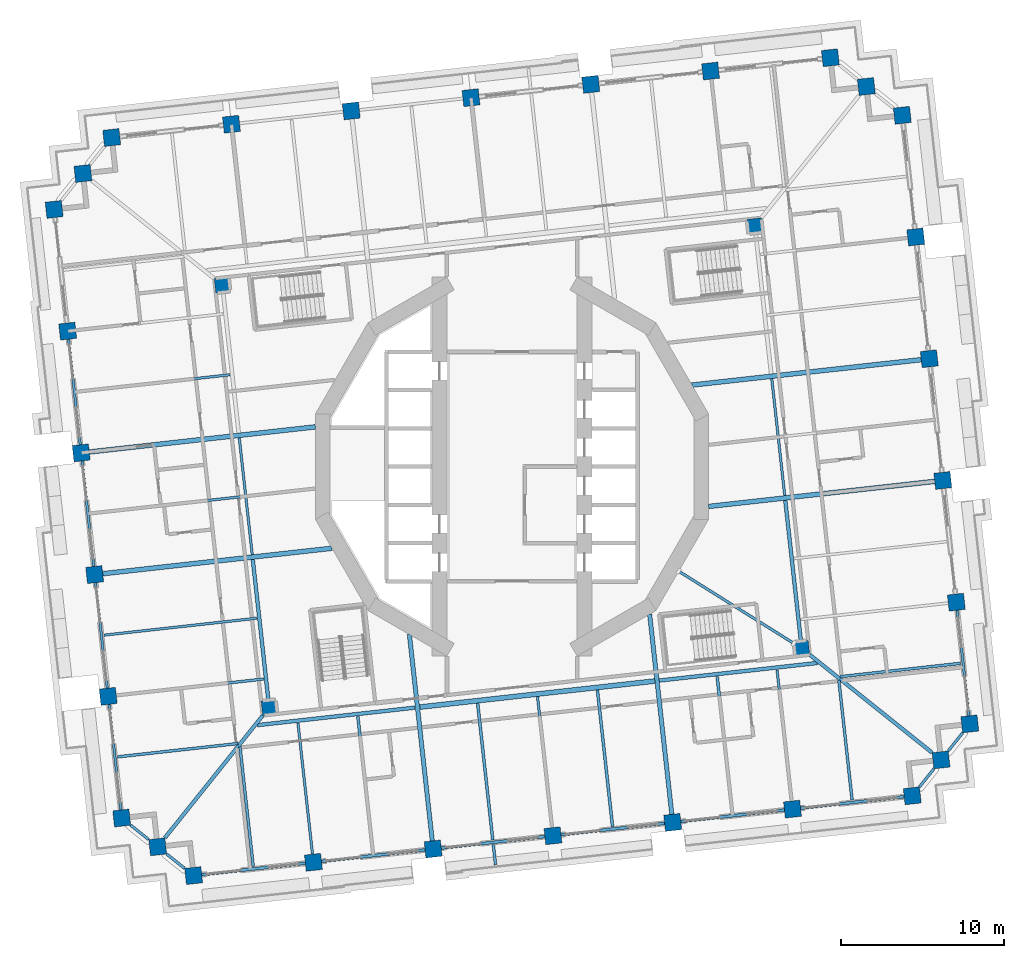
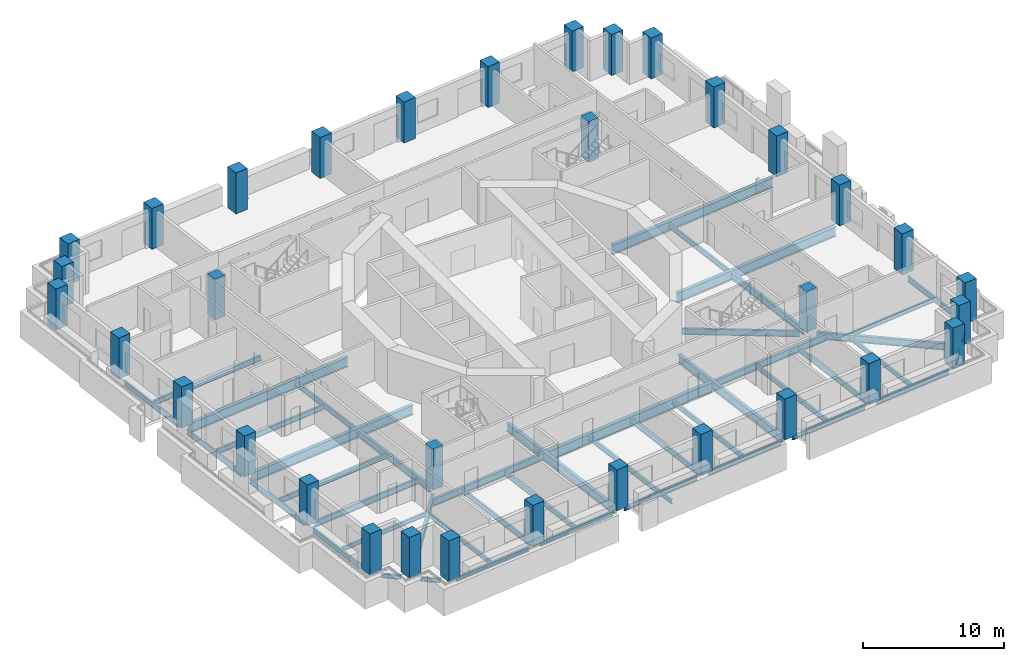
# One storey, part 1 of 19: 47 beams, 34 columns.
"""IFC4 building model written with IfcOpenShell, lengths in metres."""

from ifc_helpers import new_model, si_unit, direction, frame, origin, origin_2d, place, context, subcontext, project, spatial, rectangle, i_section, extrude, material, material_profile, profile_set, type_object, element, save


model = new_model("IFC4")

# Units and contexts
model_context = context("Model", 3, precision=1e-05, world=origin(), true_north=direction((0.0, 1.0)))
body_context = subcontext(model_context, "Body", "Model", "MODEL_VIEW")
ifc_project = project(units=[si_unit("LENGTHUNIT", "METRE"), si_unit("AREAUNIT", "SQUARE_METRE"), si_unit("VOLUMEUNIT", "CUBIC_METRE"), si_unit("PLANEANGLEUNIT", "RADIAN"), si_unit("MASSUNIT", "GRAM", prefix="KILO")], contexts=[model_context])

# Site, building, storey
site_placement = place(None, origin())
site = spatial("IfcSite", under=ifc_project, at=site_placement, CompositionType="ELEMENT")
building_placement = place(site_placement, origin())
building = spatial("IfcBuilding", under=site, at=building_placement, Name="Cantera Rosa Tower", CompositionType="ELEMENT")
storey_placement = place(building_placement, frame((0.0, 0.0, 53.89990234375)))
storey = spatial("IfcBuildingStorey", under=building, at=storey_placement, Name="L10", CompositionType="ELEMENT", Elevation=53.89990234375)

# Columns
ifc_material_1 = material(Name="Concrete C70/85", Category="concrete")
ifc_material_profile_1 = material_profile(ifc_material_1, rectangle(XDim=1.0, YDim=1.0, at=origin_2d()), Name="RC COLUMN RC1000X1000 C70/85")
ifc_profile_set_1 = profile_set([ifc_material_profile_1], Name="Concrete C70/85")
column_type_1 = type_object("IfcColumnType", Name="RC COLUMN RC1000X1000 C70/85", PredefinedType="COLUMN", material=ifc_profile_set_1)
for number, where, z_axis, x_axis, name in (
    (1, (28.114013671875, -15.795166015625, 0.0), (0.0, 0.0, 1.0), (0.993896946415, 0.110312555526, 0.0), "C-Z1-01 L10"),
    (2, (27.284423828125, -8.321044921875, 0.0), (0.0, 0.0, 1.0), (0.993896946415, 0.110312555526, 0.0), "C-Z1-02 L10"),
    (3, (26.454833984375, -0.846923828125, 0.0), (0.0, 0.0, 1.0), (0.993896946415, 0.110312555526, 0.0), "C-Z1-03 L10"),
    (4, (25.625244140625, 6.627197265625, 0.0), (0.0, 0.0, 1.0), (0.993896946415, 0.110312555526, 0.0), "C-Z1-04 L10"),
    (5, (24.795654296875, 14.101318359375, 0.0), (0.0, 0.0, 1.0), (0.993896946415, 0.110312555526, 0.0), "C-Z1-05 L10"),
    (6, (23.96630859375, 21.575439453125, 0.0), (0.0, 0.0, 1.0), (0.993896946415, 0.110312555526, 0.0), "C-Z1-06 L10"),
    (7, (21.7578125, 23.342529296875, 0.0), (0.0, 0.0, 1.0), (0.993896946415, 0.110312555526, 0.0), "C-Z1-07 L10"),
    (8, (19.54931640625, 25.10986328125, 0.0), (0.0, 0.0, 1.0), (0.993896946415, 0.110312555526, 0.0), "C-Z1-08 L10"),
    (9, (12.194580078125, 24.29345703125, 0.0), (0.0, 0.0, 1.0), (0.993896946415, 0.110312555526, 0.0), "C-Z1-09 L10"),
    (10, (4.839599609375, 23.47705078125, 0.0), (0.0, 0.0, 1.0), (0.993896946415, 0.110312555526, 0.0), "C-Z1-10 L10"),
    (11, (-2.51513671875, 22.660888671875, 0.0), (0.0, 0.0, 1.0), (0.993896946415, 0.110312555526, 0.0), "C-Z1-11 L10"),
    (12, (-9.869873046875, 21.844482421875, 0.0), (0.0, 0.0, 1.0), (0.993896946415, 0.110312555526, 0.0), "C-Z1-12 L10"),
    (13, (-17.224853515625, 21.0283203125, 0.0), (0.0, 0.0, 1.0), (0.993896946415, 0.110312555526, 0.0), "C-Z1-13 L10"),
    (14, (-24.57958984375, 20.2119140625, 0.0), (0.0, 0.0, 1.0), (0.993896946415, 0.110312555526, 0.0), "C-Z1-14 L10"),
    (15, (-26.346923828125, 18.00341796875, 0.0), (0.0, 0.0, 1.0), (0.993896946415, 0.110312555526, 0.0), "C-Z1-15 L10"),
    (16, (-28.114013671875, 15.795166015625, 0.0), (0.0, 0.0, 1.0), (0.993896946415, 0.110312555526, 0.0), "C-Z1-16 L10"),
    (17, (-27.284423828125, 8.321044921875, 0.0), (0.0, 0.0, 1.0), (0.993896946415, 0.110312555526, 0.0), "C-Z1-17 L10"),
    (18, (-26.454833984375, 0.846923828125, 0.0), (0.0, 0.0, 1.0), (0.993896946415, 0.110312555526, 0.0), "C-Z1-18 L10"),
    (19, (-25.625244140625, -6.627197265625, 0.0), (0.0, 0.0, 1.0), (0.993896946415, 0.110312555526, 0.0), "C-Z1-19 L10"),
    (20, (-24.795654296875, -14.101318359375, 0.0), (0.0, 0.0, 1.0), (0.993896946415, 0.110312555526, 0.0), "C-Z1-20 L10"),
    (21, (-23.96630859375, -21.575439453125, 0.0), (0.0, 0.0, 1.0), (0.993896946415, 0.110312555526, 0.0), "C-Z1-21 L10"),
    (22, (-21.7578125, -23.342529296875, 0.0), (0.0, 0.0, 1.0), (0.993896946415, 0.110312555526, 0.0), "C-Z1-22 L10"),
    (23, (-19.54931640625, -25.10986328125, 0.0), (0.0, 0.0, 1.0), (0.993896946415, 0.110312555526, 0.0), "C-Z1-23 L10"),
    (24, (-12.194580078125, -24.29345703125, 0.0), (0.0, 0.0, 1.0), (0.993896946415, 0.110312555526, 0.0), "C-Z1-24 L10"),
    (25, (-4.839599609375, -23.47705078125, 0.0), (0.0, 0.0, 1.0), (0.993896946415, 0.110312555526, 0.0), "C-Z1-25 L10"),
    (26, (2.51513671875, -22.660888671875, 0.0), (0.0, 0.0, 1.0), (0.993896946415, 0.110312555526, 0.0), "C-Z1-26 L10"),
    (27, (9.869873046875, -21.844482421875, 0.0), (0.0, 0.0, 1.0), (0.993896946415, 0.110312555526, 0.0), "C-Z1-27 L10"),
    (28, (17.224853515625, -21.0283203125, 0.0), (0.0, 0.0, 1.0), (0.993896946415, 0.110312555526, 0.0), "C-Z1-28 L10"),
    (29, (24.57958984375, -20.2119140625, 0.0), (0.0, 0.0, 1.0), (0.993896946415, 0.110312555526, 0.0), "C-Z1-29 L10"),
    (30, (26.346923828125, -18.00341796875, 0.0), (0.0, 0.0, 1.0), (0.993896946415, 0.110312555526, 0.0), "C-Z1-30 L10"),
):
    element("IfcColumn", number, at=place(storey_placement, frame(where, z_axis=z_axis, x_axis=x_axis)), inside=storey, type_object=column_type_1, Name=name, PredefinedType="COLUMN", context=body_context, shape_type="SweptSolid", body=[
        extrude(rectangle(XDim=1.0, YDim=1.0, at=origin_2d()), origin(), (0.0, 0.0, 1.0), 3.550048828125),
    ])
ifc_material_2 = material(Name="Concrete C70/85", Category="concrete")
ifc_material_profile_2 = material_profile(ifc_material_2, rectangle(XDim=0.89990234375, YDim=0.89990234375, at=origin_2d()), Name="RC RING COLUMN RC900X900 C70/85")
ifc_profile_set_2 = profile_set([ifc_material_profile_2], Name="Concrete C70/85")
column_type_2 = type_object("IfcColumnType", Name="RC RING COLUMN RC900X900 C70/85", PredefinedType="COLUMN", material=ifc_profile_set_2)
for number, where, z_axis, x_axis, name in (
    (31, (14.909912109375, 14.784912109375, 0.0), (0.0, 0.0, 1.0), (0.993896946415, 0.110312555526, 0.0), "CI-Z1-1 L10"),
    (32, (-17.7890625, 11.15576171875, 0.0), (0.0, 0.0, 1.0), (0.993896946415, 0.110312555526, 0.0), "CI-Z1-2 L10"),
    (33, (-14.909912109375, -14.784912109375, 0.0), (0.0, 0.0, 1.0), (0.993896946415, 0.110312555526, 0.0), "CI-Z1-3 L10"),
    (34, (17.7890625, -11.15576171875, 0.0), (0.0, 0.0, 1.0), (0.993896946415, 0.110312555526, 0.0), "CI-Z1-4 L10"),
):
    element("IfcColumn", number, at=place(storey_placement, frame(where, z_axis=z_axis, x_axis=x_axis)), inside=storey, type_object=column_type_2, Name=name, PredefinedType="COLUMN", context=body_context, shape_type="SweptSolid", body=[
        extrude(rectangle(XDim=0.89990234375, YDim=0.89990234375, at=origin_2d()), origin(), (0.0, 0.0, 1.0), 3.550048828125),
    ])

# Beams
ifc_material_3 = material(Name="Steel ASTM A992 (Fy 345 MPa)", Category="steel")
ifc_material_profile_3 = material_profile(ifc_material_3, i_section(OverallWidth=0.154052734375, OverallDepth=0.4599609375, WebThickness=0.009033203125, FlangeThickness=0.015380859375, FilletRadius=0.01025390625, at=origin_2d()), Name="W460X68")
ifc_profile_set_3 = profile_set([ifc_material_profile_3], Name="Steel ASTM A992 (Fy 345 MPa)")
beam_type_1 = type_object("IfcBeamType", Name="STEEL BEAM W460X68", PredefinedType="BEAM", material=ifc_profile_set_3)
beam_1_placement = place(storey_placement, frame((-12.249755859375, -23.796630859375, -0.47998046875), z_axis=(-0.110312435488, 0.993896959738, 0.0), x_axis=(-0.993896959738, -0.110312435488, 0.0)))
element("IfcBeam", 35, at=beam_1_placement, inside=storey, type_object=beam_type_1, Name="G-Z1-10 L10", PredefinedType="BEAM", context=body_context, shape_type="SweptSolid", body=[
    extrude(i_section(OverallWidth=0.154052734375, OverallDepth=0.4599609375, WebThickness=0.009033203125, FlangeThickness=0.015380859375, FilletRadius=0.01025390625, at=origin_2d()), origin(), (0.0, 0.0, 1.0), 8.10009765625),
])
for number, where, z_axis, x_axis, name in (
    (36, (2.4599609375, -22.163818359375, -0.47998046875), (-0.110315740112, 0.993896592953, 0.0), (-0.993896592953, -0.110315740112, 0.0), "G-Z1-12 L10"),
    (37, (17.169677734375, -20.53125, -0.47998046875), (-0.110315740112, 0.993896592953, 0.0), (-0.993896592953, -0.110315740112, 0.0), "G-Z1-14 L10"),
):
    element("IfcBeam", number, at=place(storey_placement, frame(where, z_axis=z_axis, x_axis=x_axis)), inside=storey, type_object=beam_type_1, Name=name, PredefinedType="BEAM", context=body_context, shape_type="SweptSolid", body=[
        extrude(i_section(OverallWidth=0.154052734375, OverallDepth=0.4599609375, WebThickness=0.009033203125, FlangeThickness=0.015380859375, FilletRadius=0.01025390625, at=origin_2d()), origin(), (0.0, 0.0, 1.0), 8.099853515625),
    ])
for number, where, z_axis, x_axis, name in (
    (38, (16.747802734375, -1.7734375, -0.47998046875), (-0.110301629462, 0.993898159037, 0.0), (-0.993898159037, -0.110301629462, 0.0), "RB-Z1-08 L10"),
    (39, (-15.951416015625, -5.402587890625, -0.47998046875), (-0.110301629462, 0.993898159037, 0.0), (-0.993898159037, -0.110301629462, 0.0), "RB-Z1-11 L10"),
):
    element("IfcBeam", number, at=place(storey_placement, frame(where, z_axis=z_axis, x_axis=x_axis)), inside=storey, type_object=beam_type_1, Name=name, PredefinedType="BEAM", context=body_context, shape_type="SweptSolid", body=[
        extrude(i_section(OverallWidth=0.154052734375, OverallDepth=0.4599609375, WebThickness=0.009033203125, FlangeThickness=0.015380859375, FilletRadius=0.01025390625, at=origin_2d()), origin(), (0.0, 0.0, 1.0), 7.219970703125),
    ])
ifc_material_4 = material(Name="Steel ASTM A992 (Fy 345 MPa)", Category="steel")
ifc_material_profile_4 = material_profile(ifc_material_4, i_section(OverallWidth=0.166015625, OverallDepth=0.528076171875, WebThickness=0.009765625, FlangeThickness=0.013671875, FilletRadius=0.0126953125, at=origin_2d()), Name="W530X74")
ifc_profile_set_4 = profile_set([ifc_material_profile_4], Name="Steel ASTM A992 (Fy 345 MPa)")
beam_type_2 = type_object("IfcBeamType", Name="STEEL BEAM W530X74", PredefinedType="BEAM", material=ifc_profile_set_4)
beam_2_placement = place(storey_placement, frame((-24.298828125, -14.046142578125, -0.513916015625), z_axis=(0.993896161189, 0.110319630049, 0.0), x_axis=(-0.110319630049, 0.993896161189, 0.0)))
element("IfcBeam", 40, at=beam_2_placement, inside=storey, type_object=beam_type_2, Name="G-Z1-18 L10", PredefinedType="BEAM", context=body_context, shape_type="SweptSolid", body=[
    extrude(i_section(OverallWidth=0.166015625, OverallDepth=0.528076171875, WebThickness=0.009765625, FlangeThickness=0.013671875, FilletRadius=0.0126953125, at=origin_2d()), origin(), (0.0, 0.0, 1.0), 9.10009765625),
])
beam_3_placement = place(storey_placement, frame((17.302490234375, -10.8505859375, -0.513916015625), z_axis=(-0.847189957301, 0.531290105543, 0.0), x_axis=(-0.531290105543, -0.847189957301, 0.0)))
element("IfcBeam", 41, at=beam_3_placement, inside=storey, type_object=beam_type_2, Name="PG-Z1-01 L10", PredefinedType="BEAM", context=body_context, shape_type="SweptSolid", body=[
    extrude(i_section(OverallWidth=0.166015625, OverallDepth=0.528076171875, WebThickness=0.009765625, FlangeThickness=0.013671875, FilletRadius=0.0126953125, at=origin_2d()), origin(), (0.0, 0.0, 1.0), 8.34130859375),
])
ifc_material_5 = material(Name="Steel ASTM A992 (Fy 345 MPa)", Category="steel")
ifc_material_profile_5 = material_profile(ifc_material_5, i_section(OverallWidth=0.22802734375, OverallDepth=0.60205078125, WebThickness=0.010498046875, FlangeThickness=0.014892578125, FilletRadius=0.0126953125, at=origin_2d()), Name="W610X101")
ifc_profile_set_5 = profile_set([ifc_material_profile_5], Name="Steel ASTM A992 (Fy 345 MPa)")
beam_type_3 = type_object("IfcBeamType", Name="STEEL BEAM W610X101", PredefinedType="BEAM", material=ifc_profile_set_5)
beam_4_placement = place(storey_placement, frame((-21.31591796875, -22.79052734375, -0.55078125), z_axis=(0.624787924463, 0.780794498857, 0.0), x_axis=(-0.780794498857, 0.624787924463, 0.0)))
element("IfcBeam", 42, at=beam_4_placement, inside=storey, type_object=beam_type_3, Name="CB-Z1-03 L10", PredefinedType="BEAM", context=body_context, shape_type="SweptSolid", body=[
    extrude(i_section(OverallWidth=0.22802734375, OverallDepth=0.60205078125, WebThickness=0.010498046875, FlangeThickness=0.014892578125, FilletRadius=0.0126953125, at=origin_2d()), origin(), (0.0, 0.0, 1.0), 9.616455078125),
])
beam_5_placement = place(storey_placement, frame((25.794677734375, -17.561767578125, -0.55078125), z_axis=(-0.78078211406, 0.62480340137, 0.0), x_axis=(-0.62480340137, -0.78078211406, 0.0)))
element("IfcBeam", 43, at=beam_5_placement, inside=storey, type_object=beam_type_3, Name="CB-Z1-04 L10", PredefinedType="BEAM", context=body_context, shape_type="SweptSolid", body=[
    extrude(i_section(OverallWidth=0.22802734375, OverallDepth=0.60205078125, WebThickness=0.010498046875, FlangeThickness=0.014892578125, FilletRadius=0.0126953125, at=origin_2d()), origin(), (0.0, 0.0, 1.0), 9.61669921875),
])
for number, where, z_axis, x_axis, name in (
    (44, (17.739501953125, -10.70849609375, -0.55078125), (-0.110298932846, 0.993898458301, 0.0), (-0.993898458301, -0.110298932846, 0.0), "RB-Z1-07 L10"),
    (45, (-14.959716796875, -14.337646484375, -0.55078125), (-0.110298932846, 0.993898458301, 0.0), (-0.993898458301, -0.110298932846, 0.0), "RB-Z1-10 L10"),
):
    element("IfcBeam", number, at=place(storey_placement, frame(where, z_axis=z_axis, x_axis=x_axis)), inside=storey, type_object=beam_type_3, Name=name, PredefinedType="BEAM", context=body_context, shape_type="SweptSolid", body=[
        extrude(i_section(OverallWidth=0.22802734375, OverallDepth=0.60205078125, WebThickness=0.010498046875, FlangeThickness=0.014892578125, FilletRadius=0.0126953125, at=origin_2d()), origin(), (0.0, 0.0, 1.0), 8.68994140625),
    ])
ifc_material_6 = material(Name="Steel ASTM A992 (Fy 345 MPa)", Category="steel")
ifc_material_profile_6 = material_profile(ifc_material_6, i_section(OverallWidth=0.22900390625, OverallDepth=0.612060546875, WebThickness=0.011962890625, FlangeThickness=0.01953125, FilletRadius=0.0126953125, at=origin_2d()), Name="W610X125")
ifc_profile_set_6 = profile_set([ifc_material_profile_6], Name="Steel ASTM A992 (Fy 345 MPa)")
beam_type_4 = type_object("IfcBeamType", Name="STEEL BEAM W610X125", PredefinedType="BEAM", material=ifc_profile_set_6)
beam_6_placement = place(storey_placement, frame((-15.64453125, -15.87255859375, -0.555908203125), z_axis=(0.993898078625, 0.110302354035, 0.0), x_axis=(-0.110302354035, 0.993898078625, 0.0)))
element("IfcBeam", 46, at=beam_6_placement, inside=storey, type_object=beam_type_4, Name="RB-Z1-04 L10", PredefinedType="BEAM", context=body_context, shape_type="SweptSolid", body=[
    extrude(i_section(OverallWidth=0.22900390625, OverallDepth=0.612060546875, WebThickness=0.011962890625, FlangeThickness=0.01953125, FilletRadius=0.0126953125, at=origin_2d()), origin(), (0.0, 0.0, 1.0), 9.75),
])
beam_7_placement = place(storey_placement, frame((9.0537109375, -13.13134765625, -0.555908203125), z_axis=(0.993898383269, 0.110299608956, 0.0), x_axis=(-0.110299608956, 0.993898383269, 0.0)))
element("IfcBeam", 47, at=beam_7_placement, inside=storey, type_object=beam_type_4, Name="RB-Z1-06 L10", PredefinedType="BEAM", context=body_context, shape_type="SweptSolid", body=[
    extrude(i_section(OverallWidth=0.22900390625, OverallDepth=0.612060546875, WebThickness=0.011962890625, FlangeThickness=0.01953125, FilletRadius=0.0126953125, at=origin_2d()), origin(), (0.0, 0.0, 1.0), 9.750244140625),
])
ifc_material_7 = material(Name="Steel ASTM A992 (Fy 345 MPa)", Category="steel")
ifc_material_profile_7 = material_profile(ifc_material_7, i_section(OverallWidth=0.26708984375, OverallDepth=0.75390625, WebThickness=0.01318359375, FlangeThickness=0.01708984375, FilletRadius=0.0166015625, at=origin_2d()), Name="W760X147")
ifc_profile_set_7 = profile_set([ifc_material_profile_7], Name="Steel ASTM A992 (Fy 345 MPa)")
beam_type_5 = type_object("IfcBeamType", Name="STEEL BEAM W760X147", PredefinedType="BEAM", material=ifc_profile_set_7)
beam_8_placement = place(storey_placement, frame((-4.894775390625, -22.980224609375, -0.626953125), z_axis=(-0.11031177493, 0.993897033053, 0.0), x_axis=(-0.993897033053, -0.11031177493, 0.0)))
element("IfcBeam", 48, at=beam_8_placement, inside=storey, type_object=beam_type_5, Name="G-Z1-11 L10", PredefinedType="BEAM", context=body_context, shape_type="SweptSolid", body=[
    extrude(i_section(OverallWidth=0.26708984375, OverallDepth=0.75390625, WebThickness=0.01318359375, FlangeThickness=0.01708984375, FilletRadius=0.0166015625, at=origin_2d()), origin(), (0.0, 0.0, 1.0), 12.754638671875),
])
beam_9_placement = place(storey_placement, frame((9.814697265625, -21.34765625, -0.626953125), z_axis=(-0.110292782244, 0.993899140851, 0.0), x_axis=(-0.993899140851, -0.110292782244, 0.0)))
element("IfcBeam", 49, at=beam_9_placement, inside=storey, type_object=beam_type_5, Name="G-Z1-13 L10", PredefinedType="BEAM", context=body_context, shape_type="SweptSolid", body=[
    extrude(i_section(OverallWidth=0.26708984375, OverallDepth=0.75390625, WebThickness=0.01318359375, FlangeThickness=0.01708984375, FilletRadius=0.0166015625, at=origin_2d()), origin(), (0.0, 0.0, 1.0), 12.360595703125),
])
ifc_material_8 = material(Name="Steel ASTM A992 (Fy 345 MPa)", Category="steel")
ifc_material_profile_8 = material_profile(ifc_material_8, i_section(OverallWidth=0.2919921875, OverallDepth=0.8359375, WebThickness=0.013916015625, FlangeThickness=0.018798828125, FilletRadius=0.017822265625, at=origin_2d()), Name="W840X176")
ifc_profile_set_8 = profile_set([ifc_material_profile_8], Name="Steel ASTM A992 (Fy 345 MPa)")
beam_type_6 = type_object("IfcBeamType", Name="STEEL BEAM W840X176", PredefinedType="BEAM", material=ifc_profile_set_8)
beam_10_placement = place(storey_placement, frame((25.9580078125, -0.902099609375, -0.66796875), z_axis=(-0.993898644981, -0.110297250672, 0.0), x_axis=(0.110297250672, -0.993898644981, 0.0)))
element("IfcBeam", 50, at=beam_10_placement, inside=storey, type_object=beam_type_6, Name="G-Z1-02 L10", PredefinedType="BEAM", context=body_context, shape_type="SweptSolid", body=[
    extrude(i_section(OverallWidth=0.2919921875, OverallDepth=0.8359375, WebThickness=0.013916015625, FlangeThickness=0.018798828125, FilletRadius=0.017822265625, at=origin_2d()), origin(), (0.0, 0.0, 1.0), 13.96923828125),
])
beam_11_placement = place(storey_placement, frame((25.12841796875, 6.572021484375, -0.66796875), z_axis=(-0.993897599241, -0.110306673519, 0.0), x_axis=(0.110306673519, -0.993897599241, 0.0)))
element("IfcBeam", 51, at=beam_11_placement, inside=storey, type_object=beam_type_6, Name="G-Z1-03 L10", PredefinedType="BEAM", context=body_context, shape_type="SweptSolid", body=[
    extrude(i_section(OverallWidth=0.2919921875, OverallDepth=0.8359375, WebThickness=0.013916015625, FlangeThickness=0.018798828125, FilletRadius=0.017822265625, at=origin_2d()), origin(), (0.0, 0.0, 1.0), 14.1650390625),
])
beam_12_placement = place(storey_placement, frame((-25.9580078125, 0.902099609375, -0.66796875), z_axis=(0.993898644981, 0.110297250672, 0.0), x_axis=(-0.110297250672, 0.993898644981, 0.0)))
element("IfcBeam", 52, at=beam_12_placement, inside=storey, type_object=beam_type_6, Name="G-Z1-16 L10", PredefinedType="BEAM", context=body_context, shape_type="SweptSolid", body=[
    extrude(i_section(OverallWidth=0.2919921875, OverallDepth=0.8359375, WebThickness=0.013916015625, FlangeThickness=0.018798828125, FilletRadius=0.017822265625, at=origin_2d()), origin(), (0.0, 0.0, 1.0), 13.96923828125),
])
beam_13_placement = place(storey_placement, frame((-25.12841796875, -6.572021484375, -0.66796875), z_axis=(0.993897599241, 0.110306673519, 0.0), x_axis=(-0.110306673519, 0.993897599241, 0.0)))
element("IfcBeam", 53, at=beam_13_placement, inside=storey, type_object=beam_type_6, Name="G-Z1-17 L10", PredefinedType="BEAM", context=body_context, shape_type="SweptSolid", body=[
    extrude(i_section(OverallWidth=0.2919921875, OverallDepth=0.8359375, WebThickness=0.013916015625, FlangeThickness=0.018798828125, FilletRadius=0.017822265625, at=origin_2d()), origin(), (0.0, 0.0, 1.0), 14.1650390625),
])
ifc_material_9 = material(Name="Steel ASTM A992 (Fy 345 MPa)", Category="steel")
ifc_material_profile_9 = material_profile(ifc_material_9, i_section(OverallWidth=0.304931640625, OverallDepth=0.9189453125, WebThickness=0.017333984375, FlangeThickness=0.02783203125, FilletRadius=0.01904296875, at=origin_2d()), Name="W920X253")
ifc_profile_set_9 = profile_set([ifc_material_profile_9], Name="Steel ASTM A992 (Fy 345 MPa)")
beam_type_7 = type_object("IfcBeamType", Name="STEEL BEAM W920X253", PredefinedType="BEAM", material=ifc_profile_set_9)
beam_14_placement = place(storey_placement, frame((-5.65576171875, -14.763916015625, -0.70947265625), z_axis=(0.993898099692, 0.110302164209, 0.0), x_axis=(-0.110302164209, 0.993898099692, 0.0)))
element("IfcBeam", 54, at=beam_14_placement, inside=storey, type_object=beam_type_7, Name="RB-Z1-05 L10", PredefinedType="BEAM", context=body_context, shape_type="SweptSolid", body=[
    extrude(i_section(OverallWidth=0.304931640625, OverallDepth=0.9189453125, WebThickness=0.017333984375, FlangeThickness=0.02783203125, FilletRadius=0.01904296875, at=origin_2d()), origin(), (0.0, 0.0, 1.0), 14.499755859375),
])
ifc_material_10 = material(Name="Steel ASTM A992 (Fy 345 MPa)", Category="steel")
ifc_material_profile_10 = material_profile(ifc_material_10, i_section(OverallWidth=0.1708984375, OverallDepth=0.35595703125, WebThickness=0.00732421875, FlangeThickness=0.01171875, FilletRadius=0.010009765625, at=origin_2d()), Name="W360X51")
ifc_profile_set_10 = profile_set([ifc_material_profile_10], Name="Steel ASTM A992 (Fy 345 MPa)")
beam_type_8 = type_object("IfcBeamType", Name="STEEL JOIST W360X51", PredefinedType="JOIST", material=ifc_profile_set_10)
beam_15_placement = place(storey_placement, frame((27.550048828125, -12.074462890625, -0.427978515625), z_axis=(-0.993895702238, -0.110323764768, 0.0), x_axis=(0.110323764768, -0.993895702238, 0.0)))
element("IfcBeam", 55, at=beam_15_placement, inside=storey, type_object=beam_type_8, Name="B-Z1-01 L10", PredefinedType="JOIST", context=body_context, shape_type="SweptSolid", body=[
    extrude(i_section(OverallWidth=0.1708984375, OverallDepth=0.35595703125, WebThickness=0.00732421875, FlangeThickness=0.01171875, FilletRadius=0.010009765625, at=origin_2d()), origin(), (0.0, 0.0, 1.0), 7.4599609375),
])
for number, where, z_axis, x_axis, name in (
    (56, (-15.888427734375, -24.552490234375, -0.427978515625), (-0.110326513132, 0.993895397162, 0.0), (-0.993895397162, -0.110326513132, 0.0), "B-Z1-12 L10"),
    (57, (20.8857421875, -20.470947265625, -0.427978515625), (-0.110326513132, 0.993895397162, 0.0), (-0.993895397162, -0.110326513132, 0.0), "B-Z1-17 L10"),
):
    element("IfcBeam", number, at=place(storey_placement, frame(where, z_axis=z_axis, x_axis=x_axis)), inside=storey, type_object=beam_type_8, Name=name, PredefinedType="JOIST", context=body_context, shape_type="SweptSolid", body=[
        extrude(i_section(OverallWidth=0.1708984375, OverallDepth=0.35595703125, WebThickness=0.00732421875, FlangeThickness=0.01171875, FilletRadius=0.010009765625, at=origin_2d()), origin(), (0.0, 0.0, 1.0), 7.39990234375),
    ])
beam_16_placement = place(storey_placement, frame((-24.23193359375, -17.82177734375, -0.427978515625), z_axis=(0.993899688369, 0.110287848199, 0.0), x_axis=(-0.110287848199, 0.993899688369, 0.0)))
element("IfcBeam", 58, at=beam_16_placement, inside=storey, type_object=beam_type_8, Name="B-Z1-22 L10", PredefinedType="JOIST", context=body_context, shape_type="SweptSolid", body=[
    extrude(i_section(OverallWidth=0.1708984375, OverallDepth=0.35595703125, WebThickness=0.00732421875, FlangeThickness=0.01171875, FilletRadius=0.010009765625, at=origin_2d()), origin(), (0.0, 0.0, 1.0), 7.4599609375),
])
beam_17_placement = place(storey_placement, frame((-1.14794921875, -23.1982421875, -0.427978515625), z_axis=(0.110345783203, -0.993893257915, 0.0), x_axis=(0.993893257915, 0.110345783203, 0.0)))
element("IfcBeam", 59, at=beam_17_placement, inside=storey, type_object=beam_type_8, Name="BS-Z1-06 L10", PredefinedType="JOIST", context=body_context, shape_type="SweptSolid", body=[
    extrude(i_section(OverallWidth=0.1708984375, OverallDepth=0.35595703125, WebThickness=0.00732421875, FlangeThickness=0.01171875, FilletRadius=0.010009765625, at=origin_2d()), origin(), (0.0, 0.0, 1.0), 1.25),
])
ifc_material_11 = material(Name="Steel ASTM A992 (Fy 345 MPa)", Category="steel")
ifc_material_profile_11 = material_profile(ifc_material_11, i_section(OverallWidth=0.177978515625, OverallDepth=0.406005859375, WebThickness=0.0078125, FlangeThickness=0.0126953125, FilletRadius=0.01025390625, at=origin_2d()), Name="W410X60")
ifc_profile_set_11 = profile_set([ifc_material_profile_11], Name="Steel ASTM A992 (Fy 345 MPa)")
beam_type_9 = type_object("IfcBeamType", Name="STEEL JOIST W410X60", PredefinedType="JOIST", material=ifc_profile_set_11)
for number, where, z_axis, x_axis, name in (
    (60, (-8.53369140625, -23.736328125, -0.452880859375), (-0.110311022989, 0.99389711651, 0.0), (-0.99389711651, -0.110311022989, 0.0), "B-Z1-13 L10"),
    (61, (-1.178955078125, -22.919921875, -0.452880859375), (-0.110311022989, 0.99389711651, 0.0), (-0.99389711651, -0.110311022989, 0.0), "B-Z1-14 L10"),
    (62, (6.176025390625, -22.103515625, -0.452880859375), (-0.110311022989, 0.99389711651, 0.0), (-0.99389711651, -0.110311022989, 0.0), "B-Z1-15 L10"),
    (63, (13.53076171875, -21.287353515625, -0.452880859375), (-0.110311022989, 0.99389711651, 0.0), (-0.99389711651, -0.110311022989, 0.0), "B-Z1-16 L10"),
):
    element("IfcBeam", number, at=place(storey_placement, frame(where, z_axis=z_axis, x_axis=x_axis)), inside=storey, type_object=beam_type_9, Name=name, PredefinedType="JOIST", context=body_context, shape_type="SweptSolid", body=[
        extrude(i_section(OverallWidth=0.177978515625, OverallDepth=0.406005859375, WebThickness=0.0078125, FlangeThickness=0.0126953125, FilletRadius=0.01025390625, at=origin_2d()), origin(), (0.0, 0.0, 1.0), 8.449951171875),
    ])
ifc_material_12 = material(Name="Steel ASTM A992 (Fy 345 MPa)", Category="steel")
ifc_material_profile_12 = material_profile(ifc_material_12, i_section(OverallWidth=0.154052734375, OverallDepth=0.4599609375, WebThickness=0.009033203125, FlangeThickness=0.015380859375, FilletRadius=0.01025390625, at=origin_2d()), Name="W460X68")
ifc_profile_set_12 = profile_set([ifc_material_profile_12], Name="Steel ASTM A992 (Fy 345 MPa)")
beam_type_10 = type_object("IfcBeamType", Name="STEEL JOIST W460X68", PredefinedType="JOIST", material=ifc_profile_set_12)
for number, where, z_axis, x_axis, name in (
    (64, (-26.720458984375, 4.600341796875, -0.47998046875), (0.993896645353, 0.110315268011, 0.0), (-0.110315268011, 0.993896645353, 0.0), "B-Z1-19 L10"),
    (65, (-25.89111328125, -2.87353515625, -0.47998046875), (0.993899477629, 0.110289747342, 0.0), (-0.110289747342, 0.993899477629, 0.0), "B-Z1-20 L10"),
    (66, (-25.0615234375, -10.34765625, -0.47998046875), (0.993896645353, 0.110315268011, 0.0), (-0.110315268011, 0.993896645353, 0.0), "B-Z1-21 L10"),
):
    element("IfcBeam", number, at=place(storey_placement, frame(where, z_axis=z_axis, x_axis=x_axis)), inside=storey, type_object=beam_type_10, Name=name, PredefinedType="JOIST", context=body_context, shape_type="SweptSolid", body=[
        extrude(i_section(OverallWidth=0.154052734375, OverallDepth=0.4599609375, WebThickness=0.009033203125, FlangeThickness=0.015380859375, FilletRadius=0.01025390625, at=origin_2d()), origin(), (0.0, 0.0, 1.0), 9.449951171875),
    ])
ifc_material_13 = material(Name="Steel ASTM A992 (Fy 345 MPa)", Category="steel")
ifc_material_profile_13 = material_profile(ifc_material_13, i_section(OverallWidth=0.1708984375, OverallDepth=0.35595703125, WebThickness=0.00732421875, FlangeThickness=0.01171875, FilletRadius=0.010009765625, at=origin_2d()), Name="W360X51")
ifc_profile_set_13 = profile_set([ifc_material_profile_13], Name="Steel ASTM A992 (Fy 345 MPa)")
beam_type_11 = type_object("IfcBeamType", Name="STEEL SPANDREL BEAM W360X51", PredefinedType="SPANDREL", material=ifc_profile_set_13)
for number, where, z_axis, x_axis, name in (
    (67, (-23.4140625, -22.017333984375, -0.427978515625), (0.780818280208, -0.624758203863, 0.0), (0.624758203863, 0.780818280208, 0.0), "EB-Z1-21 L10"),
    (68, (-21.205810546875, -23.784423828125, -0.427978515625), (0.780818280208, -0.624758203863, 0.0), (0.624758203863, 0.780818280208, 0.0), "EB-Z1-22 L10"),
    (69, (25.021484375, -19.659912109375, -0.427978515625), (0.624758203863, 0.780818280208, 0.0), (-0.780818280208, 0.624758203863, 0.0), "EB-Z1-29 L10"),
    (70, (26.78857421875, -17.451416015625, -0.427978515625), (0.624758203863, 0.780818280208, 0.0), (-0.780818280208, 0.624758203863, 0.0), "EB-Z1-30 L10"),
):
    element("IfcBeam", number, at=place(storey_placement, frame(where, z_axis=z_axis, x_axis=x_axis)), inside=storey, type_object=beam_type_11, Name=name, PredefinedType="SPANDREL", context=body_context, shape_type="SweptSolid", body=[
        extrude(i_section(OverallWidth=0.1708984375, OverallDepth=0.35595703125, WebThickness=0.00732421875, FlangeThickness=0.01171875, FilletRadius=0.010009765625, at=origin_2d()), origin(), (0.0, 0.0, 1.0), 1.414306640625),
    ])
ifc_material_14 = material(Name="Steel ASTM A992 (Fy 345 MPa)", Category="steel")
ifc_material_profile_14 = material_profile(ifc_material_14, i_section(OverallWidth=0.177978515625, OverallDepth=0.406005859375, WebThickness=0.0078125, FlangeThickness=0.0126953125, FilletRadius=0.01025390625, at=origin_2d()), Name="W410X60")
ifc_profile_set_14 = profile_set([ifc_material_profile_14], Name="Steel ASTM A992 (Fy 345 MPa)")
beam_type_12 = type_object("IfcBeamType", Name="STEEL SPANDREL BEAM W410X60", PredefinedType="SPANDREL", material=ifc_profile_set_14)
beam_18_placement = place(storey_placement, frame((-19.052490234375, -25.0546875, -0.452880859375), z_axis=(0.993896288542, 0.110318482689, 0.0), x_axis=(-0.110318482689, 0.993896288542, 0.0)))
element("IfcBeam", 71, at=beam_18_placement, inside=storey, type_object=beam_type_12, Name="EB-Z1-23 L10", PredefinedType="SPANDREL", context=body_context, shape_type="SweptSolid", body=[
    extrude(i_section(OverallWidth=0.177978515625, OverallDepth=0.406005859375, WebThickness=0.0078125, FlangeThickness=0.0126953125, FilletRadius=0.01025390625, at=origin_2d()), origin(), (0.0, 0.0, 1.0), 6.400146484375),
])
for number, where, z_axis, x_axis, name in (
    (72, (-11.697509765625, -24.23828125, -0.452880859375), (0.993895824271, 0.110322665379, 0.0), (-0.110322665379, 0.993895824271, 0.0), "EB-Z1-24 L10"),
    (73, (-4.3427734375, -23.422119140625, -0.452880859375), (0.993895824271, 0.110322665379, 0.0), (-0.110322665379, 0.993895824271, 0.0), "EB-Z1-25 L10"),
):
    element("IfcBeam", number, at=place(storey_placement, frame(where, z_axis=z_axis, x_axis=x_axis)), inside=storey, type_object=beam_type_12, Name=name, PredefinedType="SPANDREL", context=body_context, shape_type="SweptSolid", body=[
        extrude(i_section(OverallWidth=0.177978515625, OverallDepth=0.406005859375, WebThickness=0.0078125, FlangeThickness=0.0126953125, FilletRadius=0.01025390625, at=origin_2d()), origin(), (0.0, 0.0, 1.0), 6.39990234375),
    ])
beam_19_placement = place(storey_placement, frame((3.011962890625, -22.605712890625, -0.452880859375), z_axis=(0.993896288542, 0.110318482689, 0.0), x_axis=(-0.110318482689, 0.993896288542, 0.0)))
element("IfcBeam", 74, at=beam_19_placement, inside=storey, type_object=beam_type_12, Name="EB-Z1-26 L10", PredefinedType="SPANDREL", context=body_context, shape_type="SweptSolid", body=[
    extrude(i_section(OverallWidth=0.177978515625, OverallDepth=0.406005859375, WebThickness=0.0078125, FlangeThickness=0.0126953125, FilletRadius=0.01025390625, at=origin_2d()), origin(), (0.0, 0.0, 1.0), 6.400146484375),
])
beam_20_placement = place(storey_placement, frame((10.366943359375, -21.789306640625, -0.452880859375), z_axis=(0.993900006422, 0.110284981906, 0.0), x_axis=(-0.110284981906, 0.993900006422, 0.0)))
element("IfcBeam", 75, at=beam_20_placement, inside=storey, type_object=beam_type_12, Name="EB-Z1-27 L10", PredefinedType="SPANDREL", context=body_context, shape_type="SweptSolid", body=[
    extrude(i_section(OverallWidth=0.177978515625, OverallDepth=0.406005859375, WebThickness=0.0078125, FlangeThickness=0.0126953125, FilletRadius=0.01025390625, at=origin_2d()), origin(), (0.0, 0.0, 1.0), 6.39990234375),
])
beam_21_placement = place(storey_placement, frame((17.7216796875, -20.97314453125, -0.452880859375), z_axis=(0.993896288542, 0.110318482689, 0.0), x_axis=(-0.110318482689, 0.993896288542, 0.0)))
element("IfcBeam", 76, at=beam_21_placement, inside=storey, type_object=beam_type_12, Name="EB-Z1-28 L10", PredefinedType="SPANDREL", context=body_context, shape_type="SweptSolid", body=[
    extrude(i_section(OverallWidth=0.177978515625, OverallDepth=0.406005859375, WebThickness=0.0078125, FlangeThickness=0.0126953125, FilletRadius=0.01025390625, at=origin_2d()), origin(), (0.0, 0.0, 1.0), 6.400146484375),
])
ifc_material_15 = material(Name="Steel ASTM A992 (Fy 345 MPa)", Category="steel")
ifc_material_profile_15 = material_profile(ifc_material_15, i_section(OverallWidth=0.154052734375, OverallDepth=0.4599609375, WebThickness=0.009033203125, FlangeThickness=0.015380859375, FilletRadius=0.01025390625, at=origin_2d()), Name="W460X68")
ifc_profile_set_15 = profile_set([ifc_material_profile_15], Name="Steel ASTM A992 (Fy 345 MPa)")
beam_type_13 = type_object("IfcBeamType", Name="STEEL SPANDREL BEAM W460X68", PredefinedType="SPANDREL", material=ifc_profile_set_15)
for number, where, z_axis, x_axis, name in (
    (77, (28.058837890625, -15.298095703125, -0.47998046875), (-0.110312341265, 0.993896970196, 0.0), (-0.993896970196, -0.110312341265, 0.0), "EB-Z1-01 L10"),
    (78, (-27.229248046875, 7.823974609375, -0.47998046875), (0.110312341265, -0.993896970196, 0.0), (0.993896970196, 0.110312341265, 0.0), "EB-Z1-17 L10"),
    (79, (-26.399658203125, 0.349853515625, -0.47998046875), (0.110312341265, -0.993896970196, 0.0), (0.993896970196, 0.110312341265, 0.0), "EB-Z1-18 L10"),
    (80, (-25.570068359375, -7.124267578125, -0.47998046875), (0.110312341265, -0.993896970196, 0.0), (0.993896970196, 0.110312341265, 0.0), "EB-Z1-19 L10"),
    (81, (-24.74072265625, -14.598388671875, -0.47998046875), (0.110312341265, -0.993896970196, 0.0), (0.993896970196, 0.110312341265, 0.0), "EB-Z1-20 L10"),
):
    element("IfcBeam", number, at=place(storey_placement, frame(where, z_axis=z_axis, x_axis=x_axis)), inside=storey, type_object=beam_type_13, Name=name, PredefinedType="SPANDREL", context=body_context, shape_type="SweptSolid", body=[
        extrude(i_section(OverallWidth=0.154052734375, OverallDepth=0.4599609375, WebThickness=0.009033203125, FlangeThickness=0.015380859375, FilletRadius=0.01025390625, at=origin_2d()), origin(), (0.0, 0.0, 1.0), 6.52001953125),
    ])

save(model, "model.ifc")
